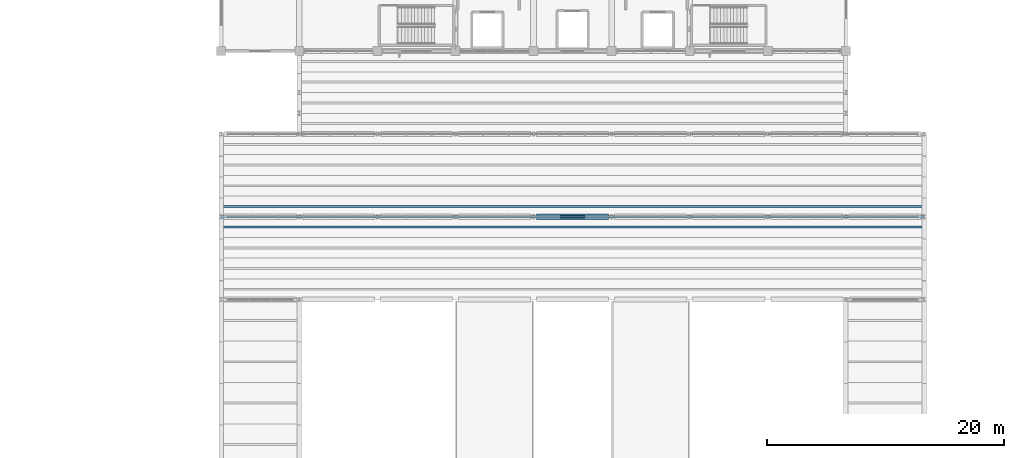
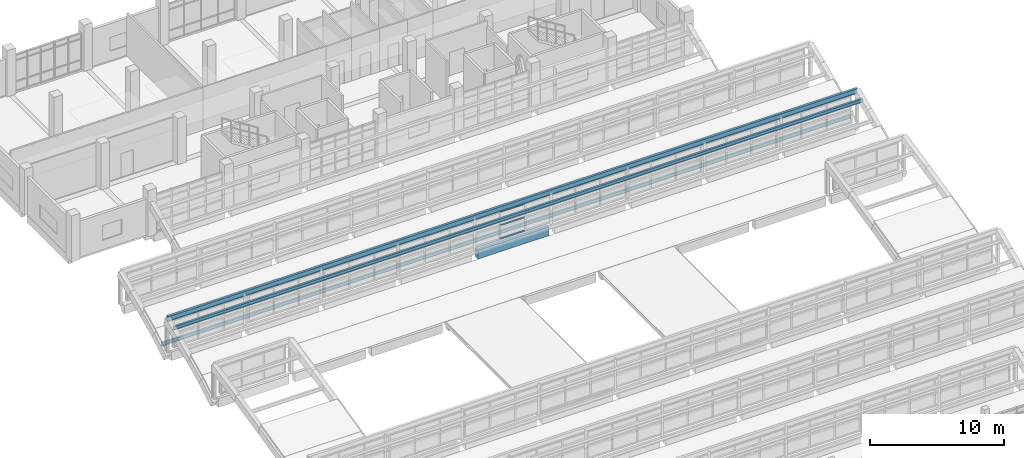
# One storey, part 43 of 92: 6 members, 1 beam, 1 element without a shape of its own.
"""IFC4 building model written with IfcOpenShell, lengths in metres."""

from ifc_helpers import new_model, si_unit, direction, frame, origin, origin_2d, place, context, subcontext, project, spatial, rectangle, i_section, extrude, material, material_profile, profile_set, type_object, element, aggregate, save


model = new_model("IFC4")

# Units and contexts
model_context = context("Model", 3, precision=1e-05, world=origin(), true_north=direction((0.0, 1.0)))
body_context = subcontext(model_context, "Body", "Model", "MODEL_VIEW")
ifc_project = project(units=[si_unit("LENGTHUNIT", "METRE"), si_unit("AREAUNIT", "SQUARE_METRE"), si_unit("VOLUMEUNIT", "CUBIC_METRE"), si_unit("PLANEANGLEUNIT", "RADIAN"), si_unit("MASSUNIT", "GRAM", prefix="KILO")], contexts=[model_context])

# Site, building, storey
site_placement = place(None, origin())
site = spatial("IfcSite", under=ifc_project, at=site_placement, CompositionType="ELEMENT")
building_placement = place(site_placement, origin())
building = spatial("IfcBuilding", under=site, at=building_placement, Name="Ciguamira Faculty of Natural Sciences", CompositionType="ELEMENT")
storey_placement = place(building_placement, frame((0.0, 0.0, 16.800048828125)))
storey = spatial("IfcBuildingStorey", under=building, at=storey_placement, Name="L04", CompositionType="ELEMENT", Elevation=16.800048828125)

# Curtain wall, members
ifc_material_1 = material(Name="Anodized aluminium curtain wall", Category="aluminium")
curtain_wall_type = type_object("IfcCurtainWallType", Name="CurtainWall_CW-07", PredefinedType="USERDEFINED", material=ifc_material_1)
curtain_wall_placement = place(storey_placement, origin())
curtain_wall = element("IfcCurtainWall", 1, at=curtain_wall_placement, inside=storey, type_object=curtain_wall_type, Name="V4 north-light wave 5 clerestory glazing 1", ObjectType="UNITISED CURTAIN WALL", PredefinedType="USERDEFINED")
ifc_material_2 = material(Name="Anodized aluminium transom", Category="aluminium")
ifc_material_profile_1 = material_profile(ifc_material_2, rectangle(XDim=0.070068359375, YDim=0.139892578125, at=origin_2d()), Name="ALU-TRN-70X140")
ifc_profile_set_1 = profile_set([ifc_material_profile_1], Name="Anodized aluminium transom")
member_type_1 = type_object("IfcMemberType", Name="CWTransom_CWT-02", PredefinedType="USERDEFINED", material=ifc_profile_set_1)
member_1_placement = place(storey_placement, frame((85.95361328125, 80.0, 0.284912109375), z_axis=(1.0, 0.0, 0.0), x_axis=(0.0, 0.0, 1.0)))
member_1 = element("IfcMember", 2, at=member_1_placement, type_object=member_type_1, Name="CW-07 transom 14.1", ObjectType="TRANSOM", PredefinedType="USERDEFINED", context=body_context, shape_type="SweptSolid", body=[
    extrude(rectangle(XDim=0.070068359375, YDim=0.139892578125, at=origin_2d()), origin(), (0.0, 0.0, 1.0), 2.0927734375),
])
member_2_placement = place(storey_placement, frame((85.95361328125, 80.0, 1.5), z_axis=(1.0, 0.0, 0.0), x_axis=(0.0, 0.0, 1.0)))
member_2 = element("IfcMember", 3, at=member_2_placement, type_object=member_type_1, Name="CW-07 transom 14.2", ObjectType="TRANSOM", PredefinedType="USERDEFINED", context=body_context, shape_type="SweptSolid", body=[
    extrude(rectangle(XDim=0.070068359375, YDim=0.139892578125, at=origin_2d()), origin(), (0.0, 0.0, 1.0), 2.0927734375),
])
member_3_placement = place(storey_placement, frame((85.95361328125, 80.0, 2.71484375), z_axis=(1.0, 0.0, 0.0), x_axis=(0.0, 0.0, 1.0)))
member_3 = element("IfcMember", 4, at=member_3_placement, type_object=member_type_1, Name="CW-07 transom 14.3", ObjectType="TRANSOM", PredefinedType="USERDEFINED", context=body_context, shape_type="SweptSolid", body=[
    extrude(rectangle(XDim=0.070068359375, YDim=0.139892578125, at=origin_2d()), origin(), (0.0, 0.0, 1.0), 2.0927734375),
])
aggregate(curtain_wall, [member_1, member_2, member_3])

# Beam
ifc_material_3 = material(Name="Concrete C40/50", Category="concrete")
ifc_material_profile_2 = material_profile(ifc_material_3, rectangle(XDim=0.43994140625, YDim=0.780029296875, at=origin_2d()), Name="RC-BM-440X780")
ifc_profile_set_2 = profile_set([ifc_material_profile_2], Name="Concrete C40/50")
beam_type = type_object("IfcBeamType", Name="RCBeam_BG-06_RC-BM-440X780", PredefinedType="BEAM", material=ifc_profile_set_2)
beam_placement = place(storey_placement, frame((83.949951171875, 80.0, -0.39013671875), z_axis=(1.0, 0.0, 0.0), x_axis=(0.0, 1.0, 0.0)))
element("IfcBeam", 5, at=beam_placement, inside=storey, type_object=beam_type, Name="V4 north-light wave 5 RC valley beam NVL-1-5", PredefinedType="BEAM", context=body_context, shape_type="SweptSolid", body=[
    extrude(rectangle(XDim=0.43994140625, YDim=0.780029296875, at=origin_2d()), origin(), (0.0, 0.0, 1.0), 6.10009765625),
])

# Members
ifc_material_4 = material(Name="Steel ASTM A992 Grade 50", Category="steel")
ifc_material_profile_3 = material_profile(ifc_material_4, i_section(OverallWidth=0.164794921875, OverallDepth=0.309814453125, WebThickness=0.005859375, FlangeThickness=0.009765625, at=origin_2d()), Name="W12X26")
ifc_profile_set_3 = profile_set([ifc_material_profile_3], Name="Steel ASTM A992 Grade 50")
member_type_2 = type_object("IfcMemberType", Name="SteelMember_PR-02_W12X26", PredefinedType="PURLIN", material=ifc_profile_set_3)
for number, where, z_axis, x_axis, name in (
    (6, (57.300048828125, 79.125, 2.65625), (1.0, 0.0, 0.0), (0.0, 1.0, 0.0), "V4 wave roof steel purlin 5-1-4"),
    (7, (57.300048828125, 80.875, 0.148193359375), (1.0, 0.0, 0.0), (0.0, 1.0, 0.0), "V4 wave roof steel purlin 6-1-1"),
):
    element("IfcMember", number, at=place(storey_placement, frame(where, z_axis=z_axis, x_axis=x_axis)), inside=storey, type_object=member_type_2, Name=name, PredefinedType="PURLIN", context=body_context, shape_type="SweptSolid", body=[
        extrude(i_section(OverallWidth=0.164794921875, OverallDepth=0.309814453125, WebThickness=0.005859375, FlangeThickness=0.009765625, at=origin_2d()), origin(), (0.0, 0.0, 1.0), 59.39990234375),
    ])
ifc_material_profile_4 = material_profile(ifc_material_4, i_section(OverallWidth=0.19287109375, OverallDepth=0.46728515625, WebThickness=0.011474609375, FlangeThickness=0.01904296875, at=origin_2d()), Name="W18X65")
ifc_profile_set_4 = profile_set([ifc_material_profile_4], Name="Steel ASTM A992 Grade 50")
member_type_3 = type_object("IfcMemberType", Name="SteelMember_TC-01_W18X65", PredefinedType="CHORD", material=ifc_profile_set_4)
member_4_placement = place(storey_placement, frame((57.300048828125, 80.0, 2.986328125), z_axis=(1.0, 0.0, 0.0), x_axis=(0.0, 1.0, 0.0)))
element("IfcMember", 8, at=member_4_placement, inside=storey, type_object=member_type_3, Name="V4 north-light wave 5 crest chord 1", PredefinedType="CHORD", context=body_context, shape_type="SweptSolid", body=[
    extrude(i_section(OverallWidth=0.19287109375, OverallDepth=0.46728515625, WebThickness=0.011474609375, FlangeThickness=0.01904296875, at=origin_2d()), origin(), (0.0, 0.0, 1.0), 59.39990234375),
])

save(model, "model.ifc")
